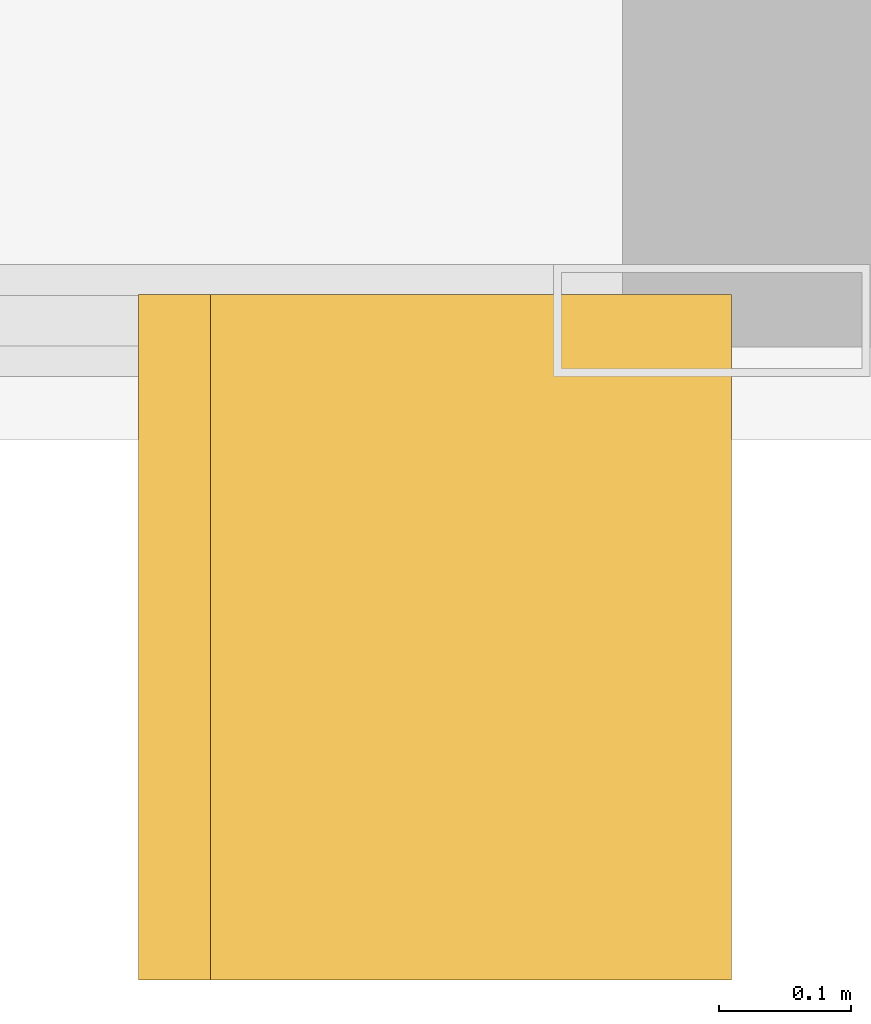
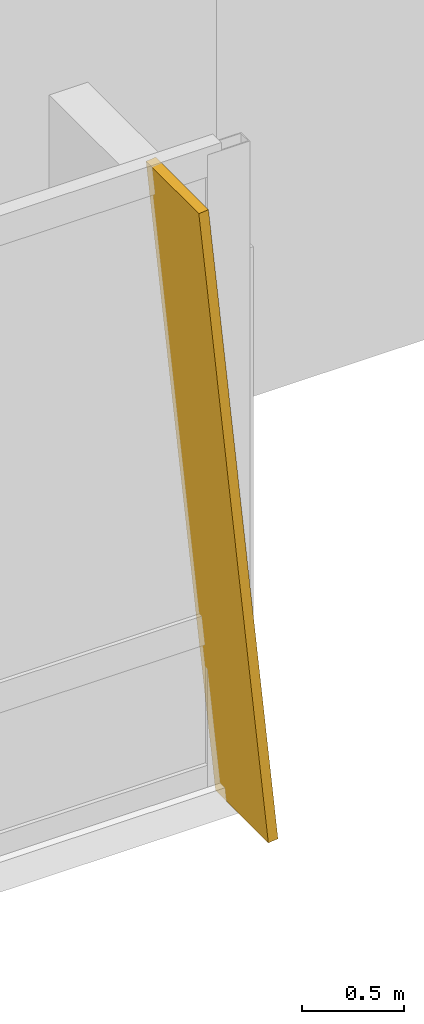
# One storey, part 34 of 34: 1 shading device.
"""IFC4 building model written with IfcOpenShell, lengths in metres."""

import ifcopenshell
import ifcopenshell.guid

model = None  # the IFC model being written
_history = None  # IfcOwnerHistory: only IFC2X3 demands one
_inside = {}  # id of a spatial element -> (the spatial element, [elements in it])
_under = {}  # id of a project, library or spatial element -> (it, [spatial elements below it])
_declared = {}  # id of a project -> (the project, [libraries it declares])
_typed = {}  # id of a type object -> (the type object, [elements of that type])
_made_of = {}  # id of a material, layer set ... -> (it, [elements and type objects made of it])


def new_model(schema):
    """Start an empty IFC model of exactly this schema.

    Asked for "IFC4X3", IfcOpenShell would pick the latest addendum, in which some entities
    have other attributes; the version numbers below select the first issue.
    IFC2X3 requires an IfcOwnerHistory on every rooted entity: one is made here for all.
    """
    global model, _history
    if schema == "IFC4X3":
        model = ifcopenshell.file(schema_version=(4, 3, 0, 0))
    else:
        model = ifcopenshell.file(schema=schema)
    _inside.clear()
    _under.clear()
    _declared.clear()
    _typed.clear()
    _made_of.clear()
    _history = None
    if model.schema == "IFC2X3":
        org = make("IfcOrganization", Name="unknown")
        user = make(
            "IfcPersonAndOrganization",
            ThePerson=make("IfcPerson", FamilyName="unknown"),
            TheOrganization=org,
        )
        app = make(
            "IfcApplication",
            ApplicationDeveloper=org,
            Version="unknown",
            ApplicationFullName="unknown",
            ApplicationIdentifier="unknown",
        )
        _history = make(
            "IfcOwnerHistory",
            OwningUser=user,
            OwningApplication=app,
            ChangeAction="ADDED",
            CreationDate=0,
        )
    return model


def make(cls, **values):
    """One entity of the class cls with the attributes given. An attribute that is None is left unset."""
    return model.create_entity(
        cls, **{name: value for name, value in values.items() if value is not None}
    )


def rooted(cls, **values):
    """An entity with a GlobalId (a new one), such as an element, a storey or a relation."""
    return make(cls, GlobalId=ifcopenshell.guid.new(), OwnerHistory=_history, **values)


def si_unit(unit_type, name, prefix=None):
    """IfcSIUnit, for example si_unit("LENGTHUNIT", "METRE", prefix="MILLI")."""
    return make("IfcSIUnit", UnitType=unit_type, Prefix=prefix, Name=name)


def assignment(units):
    """IfcUnitAssignment: the units of a project."""
    return None if units is None else make("IfcUnitAssignment", Units=units)


def point(xyz):
    """IfcCartesianPoint."""
    return None if xyz is None else make("IfcCartesianPoint", Coordinates=xyz)


def direction(xyz):
    """IfcDirection."""
    return None if xyz is None else make("IfcDirection", DirectionRatios=xyz)


def frame(location, z_axis=None, x_axis=None):
    """IfcAxis2Placement3D, a coordinate frame: its origin and axes. An axis left out is left unset."""
    return make(
        "IfcAxis2Placement3D",
        Location=point(location),
        Axis=direction(z_axis),
        RefDirection=direction(x_axis),
    )


def origin():
    """The frame at (0, 0, 0) with its axes left unset."""
    return frame((0.0, 0.0, 0.0))


def place(relative_to, where):
    """IfcLocalPlacement: puts the frame where relative to a parent placement (None: the world)."""
    return make(
        "IfcLocalPlacement", PlacementRelTo=relative_to, RelativePlacement=where
    )


def context(
    kind, dimensions, precision=None, world=None, true_north=None, identifier=None
):
    """IfcGeometricRepresentationContext, for example the 3D "Model" context."""
    return make(
        "IfcGeometricRepresentationContext",
        ContextIdentifier=identifier,
        ContextType=kind,
        CoordinateSpaceDimension=dimensions,
        Precision=precision,
        WorldCoordinateSystem=world,
        TrueNorth=true_north,
    )


def subcontext(parent, identifier, kind, view, scale=None):
    """IfcGeometricRepresentationSubContext, for example "Body" below "Model"."""
    return make(
        "IfcGeometricRepresentationSubContext",
        ContextIdentifier=identifier,
        ContextType=kind,
        ParentContext=parent,
        TargetScale=scale,
        TargetView=view,
    )


def project(units=None, contexts=None):
    """IfcProject with its units and contexts."""
    return rooted(
        "IfcProject",
        Name="project",
        RepresentationContexts=contexts,
        UnitsInContext=assignment(units),
    )


def spatial(cls, under=None, at=None, **own):
    """A site, building, storey or space (cls), placed at a placement, below another one or the project."""
    s = rooted(cls, ObjectPlacement=at, **own)
    if under is not None:
        _under.setdefault(under.id(), (under, []))[1].append(s)
    return s


def polyline(points):
    """IfcPolyline through the points."""
    return make("IfcPolyline", Points=[point(p) for p in points])


def outline(outer, holes=None, kind="AREA"):
    """IfcArbitraryClosedProfileDef: a profile drawn as a closed curve; with holes, ...WithVoids."""
    if holes is None:
        return make("IfcArbitraryClosedProfileDef", ProfileType=kind, OuterCurve=outer)
    return make(
        "IfcArbitraryProfileDefWithVoids",
        ProfileType=kind,
        OuterCurve=outer,
        InnerCurves=holes,
    )


def extrude(swept, where, along, depth):
    """IfcExtrudedAreaSolid: the profile swept, set in the frame where, extruded along a direction by depth."""
    return make(
        "IfcExtrudedAreaSolid",
        SweptArea=swept,
        Position=where,
        ExtrudedDirection=direction(along),
        Depth=depth,
    )


def shape(context_of_items, identifier, shape_type, items):
    """IfcShapeRepresentation: the items that make up one representation, for example the "Body"."""
    return make(
        "IfcShapeRepresentation",
        ContextOfItems=context_of_items,
        RepresentationIdentifier=identifier,
        RepresentationType=shape_type,
        Items=items,
    )


def material(Name=None, Category=None):
    """IfcMaterial."""
    return make("IfcMaterial", Name=Name, Category=Category)


def layer(
    of_material, thickness, ventilated=None, Name=None, Category=None, Priority=None
):
    """IfcMaterialLayer: one layer of a wall or slab, of a material (None: an air gap)."""
    return make(
        "IfcMaterialLayer",
        Material=of_material,
        LayerThickness=thickness,
        IsVentilated=ventilated,
        Name=Name,
        Category=Category,
        Priority=Priority,
    )


def layer_set(layers, Name=None):
    """IfcMaterialLayerSet."""
    return make("IfcMaterialLayerSet", MaterialLayers=layers, LayerSetName=Name)


def made_of(thing, what):
    """Note that an element or type object is made of a material, layer set ...; save() writes the relation."""
    if what is not None:
        _made_of.setdefault(what.id(), (what, []))[1].append(thing)
    return thing


def type_object(cls, material=None, **own):
    """A type object (cls), such as IfcWallType, which elements share."""
    return made_of(rooted(cls, **own), material)


def element(
    cls,
    number,
    at=None,
    inside=None,
    cuts=None,
    type_object=None,
    material=None,
    context=None,
    identifier="Body",
    shape_type=None,
    held_by="IfcProductDefinitionShape",
    body=None,
    shapes=None,
    **own,
):
    """One element of the class cls, such as IfcWall. Its Tag is "e" and its number.

    at: its placement. inside: the storey or other place that contains it. cuts: it is an
    opening in that element (IfcRelVoidsElement). A single representation is given by context,
    identifier, shape_type and body (its items); several are given by shapes. held_by: the class
    of the entity that holds the representations. save() writes the other relations.
    """
    e = rooted(cls, Tag="e%d" % number, ObjectPlacement=at, **own)
    if body is not None:
        shapes = [shape(context, identifier, shape_type, body)]
    if shapes is not None:
        e.Representation = make(held_by, Representations=shapes)
    if inside is not None:
        _inside.setdefault(inside.id(), (inside, []))[1].append(e)
    if cuts is not None:
        rooted(
            "IfcRelVoidsElement", RelatingBuildingElement=cuts, RelatedOpeningElement=e
        )
    if type_object is not None:
        _typed.setdefault(type_object.id(), (type_object, []))[1].append(e)
    return made_of(e, material)


def aggregate(whole, parts):
    """IfcRelAggregates: a whole, such as a stair, and the parts it consists of."""
    return rooted("IfcRelAggregates", RelatingObject=whole, RelatedObjects=parts)


def save(model, path):
    """Write the relations noted so far, then the file.

    IfcRelAggregates (storeys below a building ...), IfcRelContainedInSpatialStructure (elements
    in a storey), IfcRelDefinesByType, IfcRelAssociatesMaterial and IfcRelDeclares: one each for
    every whole, place, type object, material and project.
    """
    for whole, parts in _under.values():
        aggregate(whole, parts)
    for where, things in _inside.values():
        rooted(
            "IfcRelContainedInSpatialStructure",
            RelatedElements=things,
            RelatingStructure=where,
        )
    for kind, things in _typed.values():
        rooted("IfcRelDefinesByType", RelatedObjects=things, RelatingType=kind)
    for what, things in _made_of.values():
        rooted("IfcRelAssociatesMaterial", RelatedObjects=things, RelatingMaterial=what)
    for by, libraries in _declared.values():
        rooted("IfcRelDeclares", RelatingContext=by, RelatedDefinitions=libraries)
    model.write(path)


model = new_model("IFC4")

# Units and contexts
model_context = context("Model", 3, precision=1e-05, world=origin(), true_north=direction((0.0, 1.0)))
body_context = subcontext(model_context, "Body", "Model", "MODEL_VIEW")
ifc_project = project(units=[si_unit("LENGTHUNIT", "METRE"), si_unit("AREAUNIT", "SQUARE_METRE"), si_unit("VOLUMEUNIT", "CUBIC_METRE"), si_unit("PLANEANGLEUNIT", "RADIAN"), si_unit("MASSUNIT", "GRAM", prefix="KILO")], contexts=[model_context])

# Site, building, storey
site_placement = place(None, origin())
site = spatial("IfcSite", under=ifc_project, at=site_placement, CompositionType="ELEMENT")
building_placement = place(site_placement, origin())
building = spatial("IfcBuilding", under=site, at=building_placement, Name="Khoronbel Lancet Exchange", CompositionType="ELEMENT")
storey_placement = place(building_placement, frame((0.0, 0.0, 102.60009765625)))
storey = spatial("IfcBuildingStorey", under=building, at=storey_placement, Name="L24", CompositionType="ELEMENT", Elevation=102.60009765625)

# Shading device
ifc_material = material(Name="Bronze-Anodised Aluminium 6063-T6", Category="aluminium")
ifc_layer = layer(ifc_material, 0.054931640625, Name="Bronze-Anodised Aluminium 6063-T6")
ifc_layer_set = layer_set([ifc_layer], Name="Bronze-Anodised Aluminium 6063-T6")
shading_device_type = type_object("IfcShadingDeviceType", Name="SHD-FIN1", PredefinedType="USERDEFINED", material=ifc_layer_set)
shading_device_placement = place(storey_placement, frame((65.9326171875, 7.81005859375, -0.080078125), z_axis=(0.994960819636, 0.0, 0.100264487181), x_axis=(0.0, -1.0, 0.0)))
element("IfcShadingDevice", 1, at=shading_device_placement, inside=storey, type_object=shading_device_type, Name="Slanted bronze solar fin CW-L24-SEV-1", ObjectType="FIN", PredefinedType="USERDEFINED", context=body_context, shape_type="SweptSolid", body=[
    extrude(outline(polyline([(0.0, 0.0), (0.52001953125, 0.0), (0.52001953125, -3.939697265625), (0.0, -3.939697265625), (0.0, 0.0)])), origin(), (0.0, 0.0, -1.0), 0.054931640625),
])

save(model, "model.ifc")
